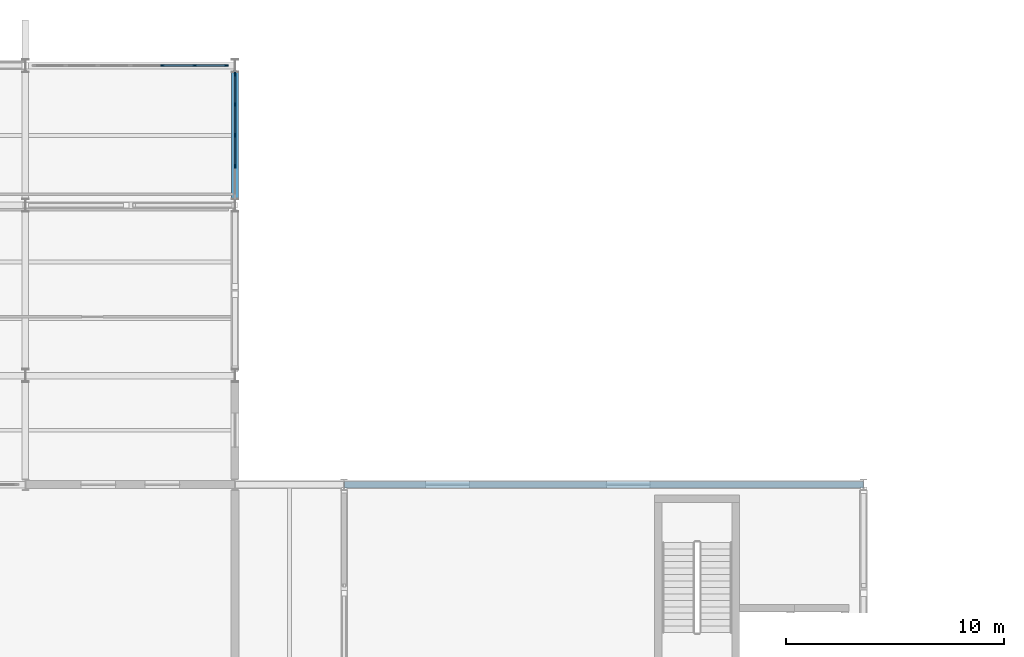
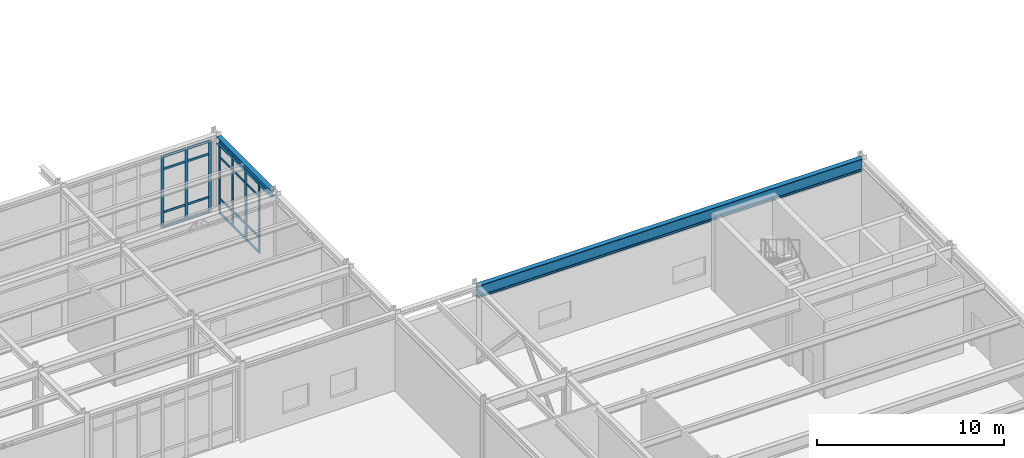
# One storey, part 63 of 109: 27 members, 2 beams, 2 elements without a shape of their own.
"""IFC4 building model written with IfcOpenShell, lengths in metres."""

from ifc_helpers import new_model, si_unit, direction, frame, origin, origin_2d, place, context, subcontext, project, spatial, rectangle, i_section, extrude, material, layer, layer_set, material_profile, profile_set, type_object, element, aggregate, save


model = new_model("IFC4")

# Units and contexts
model_context = context("Model", 3, precision=1e-05, world=origin(), true_north=direction((0.0, 1.0)))
body_context = subcontext(model_context, "Body", "Model", "MODEL_VIEW")
ifc_project = project(units=[si_unit("LENGTHUNIT", "METRE"), si_unit("AREAUNIT", "SQUARE_METRE"), si_unit("VOLUMEUNIT", "CUBIC_METRE"), si_unit("PLANEANGLEUNIT", "RADIAN"), si_unit("MASSUNIT", "GRAM", prefix="KILO")], contexts=[model_context])

# Site, building, storey
site_placement = place(None, origin())
site = spatial("IfcSite", under=ifc_project, at=site_placement, CompositionType="ELEMENT")
building_placement = place(site_placement, origin())
building = spatial("IfcBuilding", under=site, at=building_placement, Name="Nordkorset Police Headquarters", CompositionType="ELEMENT")
storey_placement = place(building_placement, origin())
storey = spatial("IfcBuildingStorey", under=building, at=storey_placement, Name="L00", CompositionType="ELEMENT", Elevation=0.0)

# Curtain wall, members
ifc_material_1 = material(Name="Aluminium alloy AW-6060", Category="aluminium")
ifc_layer_1 = layer(ifc_material_1, 0.179931640625, Name="Aluminium alloy AW-6060")
ifc_layer_set_1 = layer_set([ifc_layer_1], Name="Aluminium alloy AW-6060")
curtain_wall_type_1 = type_object("IfcCurtainWallType", Name="CW_Unit_888x467", PredefinedType="USERDEFINED", material=ifc_layer_set_1)
curtain_wall_1_placement = place(storey_placement, origin())
curtain_wall_1 = element("IfcCurtainWall", 1, at=curtain_wall_1_placement, inside=storey, type_object=curtain_wall_type_1, Name="Unitised Curtain Wall L00 V2N-5", ObjectType="UNITISED CURTAIN WALL", PredefinedType="USERDEFINED")
ifc_material_2 = material(Name="Aluminium alloy AW-6060", Category="aluminium")
ifc_material_profile_1 = material_profile(ifc_material_2, rectangle(XDim=0.06494140625, YDim=0.179931640625, at=origin_2d()), Name="ALU MULL 65x180")
ifc_profile_set_1 = profile_set([ifc_material_profile_1], Name="Aluminium alloy AW-6060")
member_type_1 = type_object("IfcMemberType", Name="CW_Mullion_65x180", PredefinedType="MULLION", material=ifc_profile_set_1)
member_1_placement = place(storey_placement, frame((83.080078125, 116.800048828125, 0.0), z_axis=(0.0, 0.0, 1.0), x_axis=(0.0, 1.0, 0.0)))
member_1 = element("IfcMember", 2, at=member_1_placement, type_object=member_type_1, Name="CW-51 mullion 5", PredefinedType="MULLION", context=body_context, shape_type="SweptSolid", body=[
    extrude(rectangle(XDim=0.06494140625, YDim=0.179931640625, at=origin_2d()), origin(), (0.0, 0.0, 1.0), 4.669921875),
])
member_2_placement = place(storey_placement, frame((84.56005859375, 116.800048828125, 0.0), z_axis=(0.0, 0.0, 1.0), x_axis=(0.0, 1.0, 0.0)))
member_2 = element("IfcMember", 3, at=member_2_placement, type_object=member_type_1, Name="CW-51 mullion 6", PredefinedType="MULLION", context=body_context, shape_type="SweptSolid", body=[
    extrude(rectangle(XDim=0.06494140625, YDim=0.179931640625, at=origin_2d()), origin(), (0.0, 0.0, 1.0), 4.669921875),
])
member_3_placement = place(storey_placement, frame((86.007568359375, 116.800048828125, 0.0), z_axis=(0.0, 0.0, 1.0), x_axis=(0.0, 1.0, 0.0)))
member_3 = element("IfcMember", 4, at=member_3_placement, type_object=member_type_1, Name="CW-51 mullion 7", PredefinedType="MULLION", context=body_context, shape_type="SweptSolid", body=[
    extrude(rectangle(XDim=0.06494140625, YDim=0.179931640625, at=origin_2d()), origin(), (0.0, 0.0, 1.0), 4.669921875),
])

ifc_material_3 = material(Name="Aluminium alloy AW-6060", Category="aluminium")
ifc_layer_2 = layer(ifc_material_3, 0.179931640625, Name="Aluminium alloy AW-6060")
ifc_layer_set_2 = layer_set([ifc_layer_2], Name="Aluminium alloy AW-6060")
curtain_wall_type_2 = type_object("IfcCurtainWallType", Name="CW_Unit_568x454", PredefinedType="USERDEFINED", material=ifc_layer_set_2)
curtain_wall_2_placement = place(storey_placement, origin())
curtain_wall_2 = element("IfcCurtainWall", 5, at=curtain_wall_2_placement, inside=storey, type_object=curtain_wall_type_2, Name="Unitised Curtain Wall L00 V2E-1", ObjectType="UNITISED CURTAIN WALL", PredefinedType="USERDEFINED")
member_4_placement = place(storey_placement, frame((86.39990234375, 112.179931640625, 0.0), z_axis=(0.0, 0.0, 1.0), x_axis=(-1.0, 0.0, 0.0)))
member_4 = element("IfcMember", 6, at=member_4_placement, type_object=member_type_1, Name="CW-56 mullion 2", PredefinedType="MULLION", context=body_context, shape_type="SweptSolid", body=[
    extrude(rectangle(XDim=0.06494140625, YDim=0.179931640625, at=origin_2d()), origin(), (0.0, 0.0, 1.0), 4.5400390625),
])
member_5_placement = place(storey_placement, frame((86.39990234375, 113.60009765625, 0.0), z_axis=(0.0, 0.0, 1.0), x_axis=(-1.0, 0.0, 0.0)))
member_5 = element("IfcMember", 7, at=member_5_placement, type_object=member_type_1, Name="CW-56 mullion 3", PredefinedType="MULLION", context=body_context, shape_type="SweptSolid", body=[
    extrude(rectangle(XDim=0.06494140625, YDim=0.179931640625, at=origin_2d()), origin(), (0.0, 0.0, 1.0), 4.5400390625),
])
member_6_placement = place(storey_placement, frame((86.39990234375, 115.02001953125, 0.0), z_axis=(0.0, 0.0, 1.0), x_axis=(-1.0, 0.0, 0.0)))
member_6 = element("IfcMember", 8, at=member_6_placement, type_object=member_type_1, Name="CW-56 mullion 4", PredefinedType="MULLION", context=body_context, shape_type="SweptSolid", body=[
    extrude(rectangle(XDim=0.06494140625, YDim=0.179931640625, at=origin_2d()), origin(), (0.0, 0.0, 1.0), 4.5400390625),
])
member_7_placement = place(storey_placement, frame((86.39990234375, 116.407470703125, 0.0), z_axis=(0.0, 0.0, 1.0), x_axis=(-1.0, 0.0, 0.0)))
member_7 = element("IfcMember", 9, at=member_7_placement, type_object=member_type_1, Name="CW-56 mullion 5", PredefinedType="MULLION", context=body_context, shape_type="SweptSolid", body=[
    extrude(rectangle(XDim=0.06494140625, YDim=0.179931640625, at=origin_2d()), origin(), (0.0, 0.0, 1.0), 4.5400390625),
])

# Member
ifc_material_4 = material(Name="Aluminium alloy AW-6060", Category="aluminium")
ifc_material_profile_2 = material_profile(ifc_material_4, rectangle(XDim=0.06494140625, YDim=0.139892578125, at=origin_2d()), Name="ALU TRAN 65x140")
ifc_profile_set_2 = profile_set([ifc_material_profile_2], Name="Aluminium alloy AW-6060")
member_type_2 = type_object("IfcMemberType", Name="CW_Transom_65x140", PredefinedType="USERDEFINED", material=ifc_profile_set_2)
member_8_placement = place(storey_placement, frame((83.112548828125, 116.800048828125, 0.032470703125), z_axis=(1.0, 0.0, 0.0), x_axis=(0.0, 1.0, 0.0)))
member_8 = element("IfcMember", 10, at=member_8_placement, type_object=member_type_2, Name="CW-51 transom 5.1", ObjectType="TRANSOM", PredefinedType="USERDEFINED", context=body_context, shape_type="SweptSolid", body=[
    extrude(rectangle(XDim=0.06494140625, YDim=0.139892578125, at=origin_2d()), origin(), (0.0, 0.0, 1.0), 1.4150390625),
])

member_9_placement = place(storey_placement, frame((83.112548828125, 116.800048828125, 1.0), z_axis=(1.0, 0.0, 0.0), x_axis=(0.0, 1.0, 0.0)))
member_9 = element("IfcMember", 11, at=member_9_placement, type_object=member_type_2, Name="CW-51 transom 5.2", ObjectType="TRANSOM", PredefinedType="USERDEFINED", context=body_context, shape_type="SweptSolid", body=[
    extrude(rectangle(XDim=0.06494140625, YDim=0.139892578125, at=origin_2d()), origin(), (0.0, 0.0, 1.0), 1.4150390625),
])

member_10_placement = place(storey_placement, frame((83.112548828125, 116.800048828125, 3.820068359375), z_axis=(1.0, 0.0, 0.0), x_axis=(0.0, 1.0, 0.0)))
member_10 = element("IfcMember", 12, at=member_10_placement, type_object=member_type_2, Name="CW-51 transom 5.3", ObjectType="TRANSOM", PredefinedType="USERDEFINED", context=body_context, shape_type="SweptSolid", body=[
    extrude(rectangle(XDim=0.06494140625, YDim=0.139892578125, at=origin_2d()), origin(), (0.0, 0.0, 1.0), 1.4150390625),
])

member_11_placement = place(storey_placement, frame((83.112548828125, 116.800048828125, 4.637451171875), z_axis=(1.0, 0.0, 0.0), x_axis=(0.0, 1.0, 0.0)))
member_11 = element("IfcMember", 13, at=member_11_placement, type_object=member_type_2, Name="CW-51 transom 5.4", ObjectType="TRANSOM", PredefinedType="USERDEFINED", context=body_context, shape_type="SweptSolid", body=[
    extrude(rectangle(XDim=0.06494140625, YDim=0.139892578125, at=origin_2d()), origin(), (0.0, 0.0, 1.0), 1.4150390625),
])

member_12_placement = place(storey_placement, frame((84.592529296875, 116.800048828125, 0.032470703125), z_axis=(1.0, 0.0, 0.0), x_axis=(0.0, 1.0, 0.0)))
member_12 = element("IfcMember", 14, at=member_12_placement, type_object=member_type_2, Name="CW-51 transom 6.1", ObjectType="TRANSOM", PredefinedType="USERDEFINED", context=body_context, shape_type="SweptSolid", body=[
    extrude(rectangle(XDim=0.06494140625, YDim=0.139892578125, at=origin_2d()), origin(), (0.0, 0.0, 1.0), 1.382568359375),
])

member_13_placement = place(storey_placement, frame((84.592529296875, 116.800048828125, 1.0), z_axis=(1.0, 0.0, 0.0), x_axis=(0.0, 1.0, 0.0)))
member_13 = element("IfcMember", 15, at=member_13_placement, type_object=member_type_2, Name="CW-51 transom 6.2", ObjectType="TRANSOM", PredefinedType="USERDEFINED", context=body_context, shape_type="SweptSolid", body=[
    extrude(rectangle(XDim=0.06494140625, YDim=0.139892578125, at=origin_2d()), origin(), (0.0, 0.0, 1.0), 1.382568359375),
])

member_14_placement = place(storey_placement, frame((84.592529296875, 116.800048828125, 3.820068359375), z_axis=(1.0, 0.0, 0.0), x_axis=(0.0, 1.0, 0.0)))
member_14 = element("IfcMember", 16, at=member_14_placement, type_object=member_type_2, Name="CW-51 transom 6.3", ObjectType="TRANSOM", PredefinedType="USERDEFINED", context=body_context, shape_type="SweptSolid", body=[
    extrude(rectangle(XDim=0.06494140625, YDim=0.139892578125, at=origin_2d()), origin(), (0.0, 0.0, 1.0), 1.382568359375),
])

member_15_placement = place(storey_placement, frame((84.592529296875, 116.800048828125, 4.637451171875), z_axis=(1.0, 0.0, 0.0), x_axis=(0.0, 1.0, 0.0)))
member_15 = element("IfcMember", 17, at=member_15_placement, type_object=member_type_2, Name="CW-51 transom 6.4", ObjectType="TRANSOM", PredefinedType="USERDEFINED", context=body_context, shape_type="SweptSolid", body=[
    extrude(rectangle(XDim=0.06494140625, YDim=0.139892578125, at=origin_2d()), origin(), (0.0, 0.0, 1.0), 1.382568359375),
])

aggregate(curtain_wall_1, [member_1, member_2, member_3, member_8, member_9, member_10, member_11, member_12, member_13, member_14, member_15])

member_16_placement = place(storey_placement, frame((86.39990234375, 112.21240234375, 0.032470703125), z_axis=(0.0, 1.0, 0.0), x_axis=(-1.0, 0.0, 0.0)))
member_16 = element("IfcMember", 18, at=member_16_placement, type_object=member_type_2, Name="CW-56 transom 2.1", ObjectType="TRANSOM", PredefinedType="USERDEFINED", context=body_context, shape_type="SweptSolid", body=[
    extrude(rectangle(XDim=0.06494140625, YDim=0.139892578125, at=origin_2d()), origin(), (0.0, 0.0, 1.0), 1.35498046875),
])

member_17_placement = place(storey_placement, frame((86.39990234375, 112.21240234375, 1.0), z_axis=(0.0, 1.0, 0.0), x_axis=(-1.0, 0.0, 0.0)))
member_17 = element("IfcMember", 19, at=member_17_placement, type_object=member_type_2, Name="CW-56 transom 2.2", ObjectType="TRANSOM", PredefinedType="USERDEFINED", context=body_context, shape_type="SweptSolid", body=[
    extrude(rectangle(XDim=0.06494140625, YDim=0.139892578125, at=origin_2d()), origin(), (0.0, 0.0, 1.0), 1.35498046875),
])

member_18_placement = place(storey_placement, frame((86.39990234375, 112.21240234375, 3.68994140625), z_axis=(0.0, 1.0, 0.0), x_axis=(-1.0, 0.0, 0.0)))
member_18 = element("IfcMember", 20, at=member_18_placement, type_object=member_type_2, Name="CW-56 transom 2.3", ObjectType="TRANSOM", PredefinedType="USERDEFINED", context=body_context, shape_type="SweptSolid", body=[
    extrude(rectangle(XDim=0.06494140625, YDim=0.139892578125, at=origin_2d()), origin(), (0.0, 0.0, 1.0), 1.35498046875),
])

member_19_placement = place(storey_placement, frame((86.39990234375, 112.21240234375, 4.507568359375), z_axis=(0.0, 1.0, 0.0), x_axis=(-1.0, 0.0, 0.0)))
member_19 = element("IfcMember", 21, at=member_19_placement, type_object=member_type_2, Name="CW-56 transom 2.4", ObjectType="TRANSOM", PredefinedType="USERDEFINED", context=body_context, shape_type="SweptSolid", body=[
    extrude(rectangle(XDim=0.06494140625, YDim=0.139892578125, at=origin_2d()), origin(), (0.0, 0.0, 1.0), 1.35498046875),
])

member_20_placement = place(storey_placement, frame((86.39990234375, 113.632568359375, 0.032470703125), z_axis=(0.0, 1.0, 0.0), x_axis=(-1.0, 0.0, 0.0)))
member_20 = element("IfcMember", 22, at=member_20_placement, type_object=member_type_2, Name="CW-56 transom 3.1", ObjectType="TRANSOM", PredefinedType="USERDEFINED", context=body_context, shape_type="SweptSolid", body=[
    extrude(rectangle(XDim=0.06494140625, YDim=0.139892578125, at=origin_2d()), origin(), (0.0, 0.0, 1.0), 1.35498046875),
])

member_21_placement = place(storey_placement, frame((86.39990234375, 113.632568359375, 1.0), z_axis=(0.0, 1.0, 0.0), x_axis=(-1.0, 0.0, 0.0)))
member_21 = element("IfcMember", 23, at=member_21_placement, type_object=member_type_2, Name="CW-56 transom 3.2", ObjectType="TRANSOM", PredefinedType="USERDEFINED", context=body_context, shape_type="SweptSolid", body=[
    extrude(rectangle(XDim=0.06494140625, YDim=0.139892578125, at=origin_2d()), origin(), (0.0, 0.0, 1.0), 1.35498046875),
])

member_22_placement = place(storey_placement, frame((86.39990234375, 113.632568359375, 3.68994140625), z_axis=(0.0, 1.0, 0.0), x_axis=(-1.0, 0.0, 0.0)))
member_22 = element("IfcMember", 24, at=member_22_placement, type_object=member_type_2, Name="CW-56 transom 3.3", ObjectType="TRANSOM", PredefinedType="USERDEFINED", context=body_context, shape_type="SweptSolid", body=[
    extrude(rectangle(XDim=0.06494140625, YDim=0.139892578125, at=origin_2d()), origin(), (0.0, 0.0, 1.0), 1.35498046875),
])

member_23_placement = place(storey_placement, frame((86.39990234375, 113.632568359375, 4.507568359375), z_axis=(0.0, 1.0, 0.0), x_axis=(-1.0, 0.0, 0.0)))
member_23 = element("IfcMember", 25, at=member_23_placement, type_object=member_type_2, Name="CW-56 transom 3.4", ObjectType="TRANSOM", PredefinedType="USERDEFINED", context=body_context, shape_type="SweptSolid", body=[
    extrude(rectangle(XDim=0.06494140625, YDim=0.139892578125, at=origin_2d()), origin(), (0.0, 0.0, 1.0), 1.35498046875),
])

member_24_placement = place(storey_placement, frame((86.39990234375, 115.052490234375, 0.032470703125), z_axis=(0.0, 1.0, 0.0), x_axis=(-1.0, 0.0, 0.0)))
member_24 = element("IfcMember", 26, at=member_24_placement, type_object=member_type_2, Name="CW-56 transom 4.1", ObjectType="TRANSOM", PredefinedType="USERDEFINED", context=body_context, shape_type="SweptSolid", body=[
    extrude(rectangle(XDim=0.06494140625, YDim=0.139892578125, at=origin_2d()), origin(), (0.0, 0.0, 1.0), 1.322509765625),
])

member_25_placement = place(storey_placement, frame((86.39990234375, 115.052490234375, 1.0), z_axis=(0.0, 1.0, 0.0), x_axis=(-1.0, 0.0, 0.0)))
member_25 = element("IfcMember", 27, at=member_25_placement, type_object=member_type_2, Name="CW-56 transom 4.2", ObjectType="TRANSOM", PredefinedType="USERDEFINED", context=body_context, shape_type="SweptSolid", body=[
    extrude(rectangle(XDim=0.06494140625, YDim=0.139892578125, at=origin_2d()), origin(), (0.0, 0.0, 1.0), 1.322509765625),
])

member_26_placement = place(storey_placement, frame((86.39990234375, 115.052490234375, 3.68994140625), z_axis=(0.0, 1.0, 0.0), x_axis=(-1.0, 0.0, 0.0)))
member_26 = element("IfcMember", 28, at=member_26_placement, type_object=member_type_2, Name="CW-56 transom 4.3", ObjectType="TRANSOM", PredefinedType="USERDEFINED", context=body_context, shape_type="SweptSolid", body=[
    extrude(rectangle(XDim=0.06494140625, YDim=0.139892578125, at=origin_2d()), origin(), (0.0, 0.0, 1.0), 1.322509765625),
])

member_27_placement = place(storey_placement, frame((86.39990234375, 115.052490234375, 4.507568359375), z_axis=(0.0, 1.0, 0.0), x_axis=(-1.0, 0.0, 0.0)))
member_27 = element("IfcMember", 29, at=member_27_placement, type_object=member_type_2, Name="CW-56 transom 4.4", ObjectType="TRANSOM", PredefinedType="USERDEFINED", context=body_context, shape_type="SweptSolid", body=[
    extrude(rectangle(XDim=0.06494140625, YDim=0.139892578125, at=origin_2d()), origin(), (0.0, 0.0, 1.0), 1.322509765625),
])

aggregate(curtain_wall_2, [member_4, member_5, member_6, member_7, member_16, member_17, member_18, member_19, member_20, member_21, member_22, member_23, member_24, member_25, member_26, member_27])

# Beams
ifc_material_5 = material(Name="Steel S355J2", Category="steel")
ifc_material_profile_3 = material_profile(ifc_material_5, i_section(OverallWidth=0.300048828125, OverallDepth=0.43994140625, WebThickness=0.011474609375, FlangeThickness=0.02099609375, FilletRadius=0.027099609375, at=origin_2d()), Name="HEA 450")
ifc_profile_set_3 = profile_set([ifc_material_profile_3], Name="Steel S355J2")
beam_type_1 = type_object("IfcBeamType", Name="Girder_HEA_450", PredefinedType="USERDEFINED", material=ifc_profile_set_3)
beam_1_placement = place(storey_placement, frame((86.39990234375, 110.699951171875, 4.780029296875), z_axis=(0.0, 1.0, 0.0), x_axis=(-1.0, 0.0, 0.0)))
element("IfcBeam", 30, at=beam_1_placement, inside=storey, type_object=beam_type_1, Name="Girder V2 L00 GY-6-2", ObjectType="GIRDER", PredefinedType="USERDEFINED", context=body_context, shape_type="SweptSolid", body=[
    extrude(i_section(OverallWidth=0.300048828125, OverallDepth=0.43994140625, WebThickness=0.011474609375, FlangeThickness=0.02099609375, FilletRadius=0.027099609375, at=origin_2d()), origin(), (0.0, 0.0, 1.0), 5.800048828125),
])
ifc_material_6 = material(Name="Steel S355J2", Category="steel")
ifc_material_profile_4 = material_profile(ifc_material_6, i_section(OverallWidth=0.300048828125, OverallDepth=0.800048828125, WebThickness=0.017578125, FlangeThickness=0.032958984375, FilletRadius=0.030029296875, at=origin_2d()), Name="HEB 800")
ifc_profile_set_4 = profile_set([ifc_material_profile_4], Name="Steel S355J2")
beam_type_2 = type_object("IfcBeamType", Name="Girder_HEB_800", PredefinedType="USERDEFINED", material=ifc_profile_set_4)
beam_2_placement = place(storey_placement, frame((91.4072265625, 97.60009765625, 4.60009765625), z_axis=(1.0, 0.0, 0.0), x_axis=(0.0, 1.0, 0.0)))
element("IfcBeam", 31, at=beam_2_placement, inside=storey, type_object=beam_type_2, Name="Girder V5 L00 GX-5-1", ObjectType="GIRDER", PredefinedType="USERDEFINED", context=body_context, shape_type="SweptSolid", body=[
    extrude(i_section(OverallWidth=0.300048828125, OverallDepth=0.800048828125, WebThickness=0.017578125, FlangeThickness=0.032958984375, FilletRadius=0.030029296875, at=origin_2d()), origin(), (0.0, 0.0, 1.0), 23.785400390625),
])

save(model, "model.ifc")
